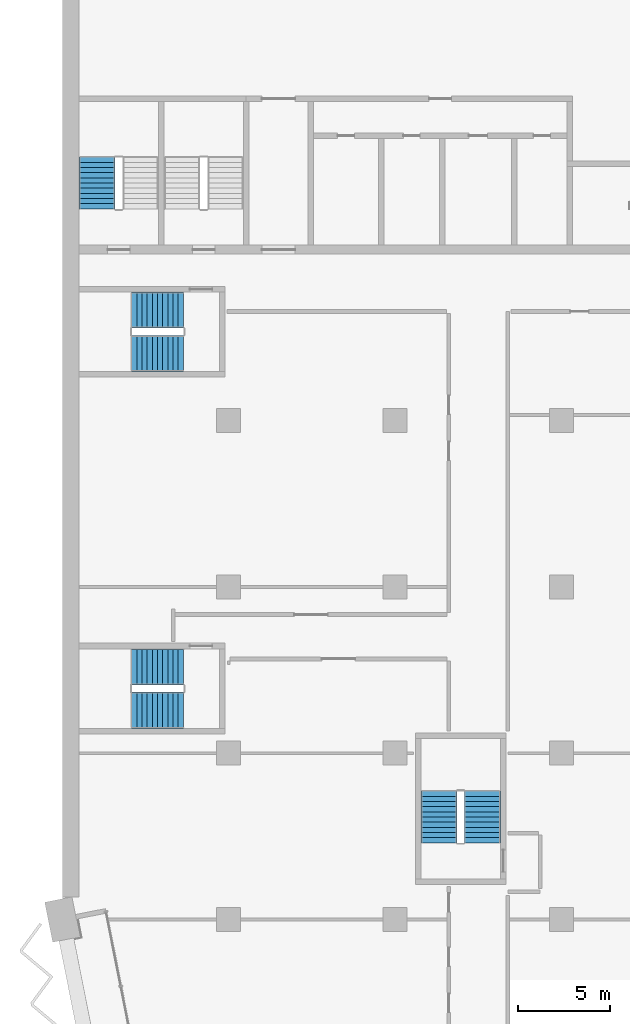
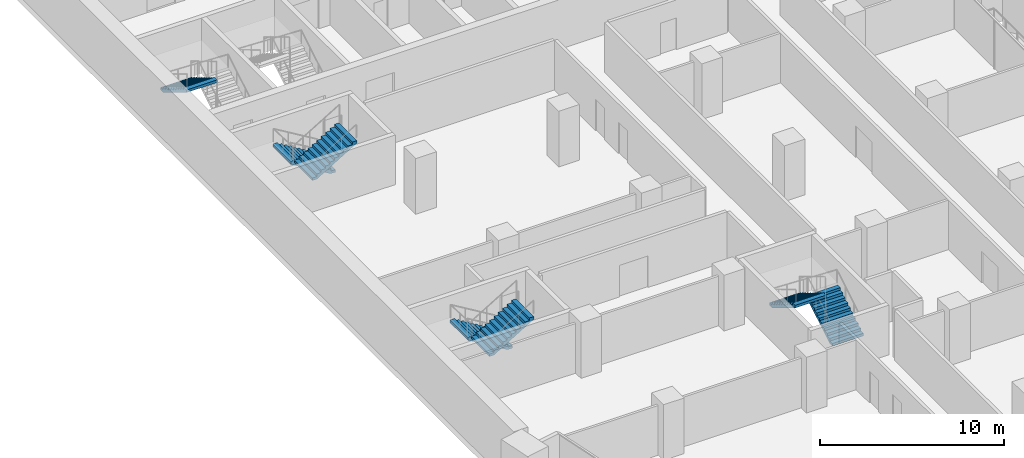
# One storey, part 16 of 23: 7 stair flights, 4 elements without a shape of their own.
"""IFC4 building model written with IfcOpenShell, lengths in metres."""

from ifc_helpers import new_model, si_unit, direction, frame, origin, place, context, subcontext, project, spatial, polyline, outline, extrude, material, type_object, element, aggregate, save


model = new_model("IFC4")

# Units and contexts
model_context = context("Model", 3, precision=1e-05, world=origin(), true_north=direction((0.0, 1.0)))
body_context = subcontext(model_context, "Body", "Model", "MODEL_VIEW")
ifc_project = project(units=[si_unit("LENGTHUNIT", "METRE"), si_unit("AREAUNIT", "SQUARE_METRE"), si_unit("VOLUMEUNIT", "CUBIC_METRE"), si_unit("PLANEANGLEUNIT", "RADIAN"), si_unit("MASSUNIT", "GRAM", prefix="KILO")], contexts=[model_context])

# Site, building, storey
site_placement = place(None, origin())
site = spatial("IfcSite", under=ifc_project, at=site_placement, CompositionType="ELEMENT")
building_placement = place(site_placement, origin())
building = spatial("IfcBuilding", under=site, at=building_placement, Name="Hunhe Ridgeline Campus", CompositionType="ELEMENT")
storey_placement = place(building_placement, frame((0.0, 0.0, 95.89990234375)))
storey = spatial("IfcBuildingStorey", under=building, at=storey_placement, Name="L23", CompositionType="ELEMENT", Elevation=95.89990234375)

# Stair, stair flight
ifc_material = material(Name="Concrete C40", Category="concrete")
stair_type = type_object("IfcStairType", Name="Reinforced concrete dog-leg stair 1950 Concrete C40", PredefinedType="HALF_TURN_STAIR", material=ifc_material)
stair_1_placement = place(storey_placement, origin())
stair_1 = element("IfcStair", 1, at=stair_1_placement, inside=storey, type_object=stair_type, Name="L23 S3", PredefinedType="HALF_TURN_STAIR")
stair_flight_type = type_object("IfcStairFlightType", Name="Reinforced concrete stair flight 1950 Concrete C40", PredefinedType="STRAIGHT", material=ifc_material)
stair_flight_1_placement = place(storey_placement, frame((1.875, 68.25, 1.85009765625), z_axis=(0.0, 0.0, 1.0), x_axis=(0.0, -1.0, 0.0)))
stair_flight_1 = element("IfcStairFlight", 2, at=stair_flight_1_placement, type_object=stair_flight_type, Name="ST3 flight 2", NumberOfRisers=11, NumberOfTreads=10, PredefinedType="STRAIGHT", RiserHeight=0.168181818, TreadLength=0.28, context=body_context, shape_type="SweptSolid", body=[
    extrude(outline(polyline([(0.0, 0.0), (0.0, 0.168212890625), (0.280029296875, 0.168212890625), (0.280029296875, 0.33642578125), (0.56005859375, 0.33642578125), (0.56005859375, 0.504638671875), (0.840087890625, 0.504638671875), (0.840087890625, 0.672607421875), (1.1201171875, 0.672607421875), (1.1201171875, 0.8408203125), (1.39990234375, 0.8408203125), (1.39990234375, 1.009033203125), (1.679931640625, 1.009033203125), (1.679931640625, 1.17724609375), (1.9599609375, 1.17724609375), (1.9599609375, 1.345458984375), (2.239990234375, 1.345458984375), (2.239990234375, 1.513671875), (2.52001953125, 1.513671875), (2.52001953125, 1.681884765625), (2.800048828125, 1.681884765625), (2.800048828125, 1.85009765625), (2.800048828125, 1.5068359375), (0.291015625, 0.0), (0.0, 0.0)])), frame((0.0, 0.97509765625, 0.0), z_axis=(0.0, -1.0, 0.0), x_axis=(1.0, 0.0, 0.0)), (0.0, 0.0, 1.0), 1.949951171875),
    extrude(outline(polyline([(0.030029296875, 0.030029296875), (0.030029296875, 0.13818359375), (0.31005859375, 0.13818359375), (0.31005859375, 0.306396484375), (0.590087890625, 0.306396484375), (0.590087890625, 0.474609375), (0.8701171875, 0.474609375), (0.8701171875, 0.642578125), (1.14990234375, 0.642578125), (1.14990234375, 0.810791015625), (1.429931640625, 0.810791015625), (1.429931640625, 0.97900390625), (1.7099609375, 0.97900390625), (1.7099609375, 1.147216796875), (1.989990234375, 1.147216796875), (1.989990234375, 1.3154296875), (2.27001953125, 1.3154296875), (2.27001953125, 1.483642578125), (2.550048828125, 1.483642578125), (2.550048828125, 1.65185546875), (2.77001953125, 1.65185546875), (2.77001953125, 1.52392578125), (0.28271484375, 0.030029296875), (0.030029296875, 0.030029296875)])), frame((0.0, -0.070068359375, 0.0), z_axis=(0.0, -1.0, 0.0), x_axis=(1.0, 0.0, 0.0)), (0.0, 0.0, 1.0), 0.019775390625),
    extrude(outline(polyline([(0.030029296875, 0.030029296875), (0.030029296875, 0.13818359375), (0.31005859375, 0.13818359375), (0.31005859375, 0.306396484375), (0.590087890625, 0.306396484375), (0.590087890625, 0.474609375), (0.8701171875, 0.474609375), (0.8701171875, 0.642578125), (1.14990234375, 0.642578125), (1.14990234375, 0.810791015625), (1.429931640625, 0.810791015625), (1.429931640625, 0.97900390625), (1.7099609375, 0.97900390625), (1.7099609375, 1.147216796875), (1.989990234375, 1.147216796875), (1.989990234375, 1.3154296875), (2.27001953125, 1.3154296875), (2.27001953125, 1.483642578125), (2.550048828125, 1.483642578125), (2.550048828125, 1.65185546875), (2.77001953125, 1.65185546875), (2.77001953125, 1.52392578125), (0.28271484375, 0.030029296875), (0.030029296875, 0.030029296875)])), frame((0.0, 0.010009765625, 0.0), z_axis=(0.0, -1.0, 0.0), x_axis=(1.0, 0.0, 0.0)), (0.0, 0.0, 1.0), 0.019775390625),
    extrude(outline(polyline([(0.030029296875, 0.030029296875), (0.030029296875, 0.13818359375), (0.31005859375, 0.13818359375), (0.31005859375, 0.306396484375), (0.590087890625, 0.306396484375), (0.590087890625, 0.474609375), (0.8701171875, 0.474609375), (0.8701171875, 0.642578125), (1.14990234375, 0.642578125), (1.14990234375, 0.810791015625), (1.429931640625, 0.810791015625), (1.429931640625, 0.97900390625), (1.7099609375, 0.97900390625), (1.7099609375, 1.147216796875), (1.989990234375, 1.147216796875), (1.989990234375, 1.3154296875), (2.27001953125, 1.3154296875), (2.27001953125, 1.483642578125), (2.550048828125, 1.483642578125), (2.550048828125, 1.65185546875), (2.77001953125, 1.65185546875), (2.77001953125, 1.52392578125), (0.28271484375, 0.030029296875), (0.030029296875, 0.030029296875)])), frame((0.0, 0.090087890625, 0.0), z_axis=(0.0, -1.0, 0.0), x_axis=(1.0, 0.0, 0.0)), (0.0, 0.0, 1.0), 0.019775390625),
])
aggregate(stair_1, [stair_flight_1])

# Stair, stair flights
stair_2_placement = place(storey_placement, origin())
stair_2 = element("IfcStair", 3, at=stair_2_placement, inside=storey, type_object=stair_type, Name="L23 W3", PredefinedType="HALF_TURN_STAIR")
stair_flight_2_placement = place(storey_placement, frame((22.72509765625, 31.14990234375, 0.0), z_axis=(0.0, 0.0, 1.0), x_axis=(0.0, 1.0, 0.0)))
stair_flight_2 = element("IfcStairFlight", 4, at=stair_flight_2_placement, type_object=stair_flight_type, Name="ST9 flight 1", NumberOfRisers=11, NumberOfTreads=10, PredefinedType="STRAIGHT", RiserHeight=0.168181818, TreadLength=0.28, context=body_context, shape_type="SweptSolid", body=[
    extrude(outline(polyline([(0.0, 0.0), (0.0, 0.168212890625), (0.280029296875, 0.168212890625), (0.280029296875, 0.33642578125), (0.56005859375, 0.33642578125), (0.56005859375, 0.504638671875), (0.840087890625, 0.504638671875), (0.840087890625, 0.672607421875), (1.1201171875, 0.672607421875), (1.1201171875, 0.8408203125), (1.39990234375, 0.8408203125), (1.39990234375, 1.009033203125), (1.679931640625, 1.009033203125), (1.679931640625, 1.17724609375), (1.9599609375, 1.17724609375), (1.9599609375, 1.345458984375), (2.239990234375, 1.345458984375), (2.239990234375, 1.513671875), (2.52001953125, 1.513671875), (2.52001953125, 1.681884765625), (2.800048828125, 1.681884765625), (2.800048828125, 1.85009765625), (2.800048828125, 1.5068359375), (0.291015625, 0.0), (0.0, 0.0)])), frame((0.0, 0.97509765625, 0.0), z_axis=(0.0, -1.0, 0.0), x_axis=(1.0, 0.0, 0.0)), (0.0, 0.0, 1.0), 1.949951171875),
    extrude(outline(polyline([(0.030029296875, 0.030029296875), (0.030029296875, 0.13818359375), (0.31005859375, 0.13818359375), (0.31005859375, 0.306396484375), (0.590087890625, 0.306396484375), (0.590087890625, 0.474609375), (0.8701171875, 0.474609375), (0.8701171875, 0.642578125), (1.14990234375, 0.642578125), (1.14990234375, 0.810791015625), (1.429931640625, 0.810791015625), (1.429931640625, 0.97900390625), (1.7099609375, 0.97900390625), (1.7099609375, 1.147216796875), (1.989990234375, 1.147216796875), (1.989990234375, 1.3154296875), (2.27001953125, 1.3154296875), (2.27001953125, 1.483642578125), (2.550048828125, 1.483642578125), (2.550048828125, 1.65185546875), (2.77001953125, 1.65185546875), (2.77001953125, 1.52392578125), (0.28271484375, 0.030029296875), (0.030029296875, 0.030029296875)])), frame((0.0, -0.070068359375, 0.0), z_axis=(0.0, -1.0, 0.0), x_axis=(1.0, 0.0, 0.0)), (0.0, 0.0, 1.0), 0.019775390625),
    extrude(outline(polyline([(0.030029296875, 0.030029296875), (0.030029296875, 0.13818359375), (0.31005859375, 0.13818359375), (0.31005859375, 0.306396484375), (0.590087890625, 0.306396484375), (0.590087890625, 0.474609375), (0.8701171875, 0.474609375), (0.8701171875, 0.642578125), (1.14990234375, 0.642578125), (1.14990234375, 0.810791015625), (1.429931640625, 0.810791015625), (1.429931640625, 0.97900390625), (1.7099609375, 0.97900390625), (1.7099609375, 1.147216796875), (1.989990234375, 1.147216796875), (1.989990234375, 1.3154296875), (2.27001953125, 1.3154296875), (2.27001953125, 1.483642578125), (2.550048828125, 1.483642578125), (2.550048828125, 1.65185546875), (2.77001953125, 1.65185546875), (2.77001953125, 1.52392578125), (0.28271484375, 0.030029296875), (0.030029296875, 0.030029296875)])), frame((0.0, 0.010009765625, 0.0), z_axis=(0.0, -1.0, 0.0), x_axis=(1.0, 0.0, 0.0)), (0.0, 0.0, 1.0), 0.019775390625),
    extrude(outline(polyline([(0.030029296875, 0.030029296875), (0.030029296875, 0.13818359375), (0.31005859375, 0.13818359375), (0.31005859375, 0.306396484375), (0.590087890625, 0.306396484375), (0.590087890625, 0.474609375), (0.8701171875, 0.474609375), (0.8701171875, 0.642578125), (1.14990234375, 0.642578125), (1.14990234375, 0.810791015625), (1.429931640625, 0.810791015625), (1.429931640625, 0.97900390625), (1.7099609375, 0.97900390625), (1.7099609375, 1.147216796875), (1.989990234375, 1.147216796875), (1.989990234375, 1.3154296875), (2.27001953125, 1.3154296875), (2.27001953125, 1.483642578125), (2.550048828125, 1.483642578125), (2.550048828125, 1.65185546875), (2.77001953125, 1.65185546875), (2.77001953125, 1.52392578125), (0.28271484375, 0.030029296875), (0.030029296875, 0.030029296875)])), frame((0.0, 0.090087890625, 0.0), z_axis=(0.0, -1.0, 0.0), x_axis=(1.0, 0.0, 0.0)), (0.0, 0.0, 1.0), 0.019775390625),
])
stair_flight_3_placement = place(storey_placement, frame((20.375, 33.949951171875, 1.85009765625), z_axis=(0.0, 0.0, 1.0), x_axis=(0.0, -1.0, 0.0)))
stair_flight_3 = element("IfcStairFlight", 5, at=stair_flight_3_placement, type_object=stair_flight_type, Name="ST9 flight 2", NumberOfRisers=11, NumberOfTreads=10, PredefinedType="STRAIGHT", RiserHeight=0.168181818, TreadLength=0.28, context=body_context, shape_type="SweptSolid", body=[
    extrude(outline(polyline([(0.0, 0.0), (0.0, 0.168212890625), (0.280029296875, 0.168212890625), (0.280029296875, 0.33642578125), (0.56005859375, 0.33642578125), (0.56005859375, 0.504638671875), (0.840087890625, 0.504638671875), (0.840087890625, 0.672607421875), (1.1201171875, 0.672607421875), (1.1201171875, 0.8408203125), (1.39990234375, 0.8408203125), (1.39990234375, 1.009033203125), (1.679931640625, 1.009033203125), (1.679931640625, 1.17724609375), (1.9599609375, 1.17724609375), (1.9599609375, 1.345458984375), (2.239990234375, 1.345458984375), (2.239990234375, 1.513671875), (2.52001953125, 1.513671875), (2.52001953125, 1.681884765625), (2.800048828125, 1.681884765625), (2.800048828125, 1.85009765625), (2.800048828125, 1.5068359375), (0.291015625, 0.0), (0.0, 0.0)])), frame((0.0, 0.97509765625, 0.0), z_axis=(0.0, -1.0, 0.0), x_axis=(1.0, 0.0, 0.0)), (0.0, 0.0, 1.0), 1.949951171875),
    extrude(outline(polyline([(0.030029296875, 0.030029296875), (0.030029296875, 0.13818359375), (0.31005859375, 0.13818359375), (0.31005859375, 0.306396484375), (0.590087890625, 0.306396484375), (0.590087890625, 0.474609375), (0.8701171875, 0.474609375), (0.8701171875, 0.642578125), (1.14990234375, 0.642578125), (1.14990234375, 0.810791015625), (1.429931640625, 0.810791015625), (1.429931640625, 0.97900390625), (1.7099609375, 0.97900390625), (1.7099609375, 1.147216796875), (1.989990234375, 1.147216796875), (1.989990234375, 1.3154296875), (2.27001953125, 1.3154296875), (2.27001953125, 1.483642578125), (2.550048828125, 1.483642578125), (2.550048828125, 1.65185546875), (2.77001953125, 1.65185546875), (2.77001953125, 1.52392578125), (0.28271484375, 0.030029296875), (0.030029296875, 0.030029296875)])), frame((0.0, -0.070068359375, 0.0), z_axis=(0.0, -1.0, 0.0), x_axis=(1.0, 0.0, 0.0)), (0.0, 0.0, 1.0), 0.019775390625),
    extrude(outline(polyline([(0.030029296875, 0.030029296875), (0.030029296875, 0.13818359375), (0.31005859375, 0.13818359375), (0.31005859375, 0.306396484375), (0.590087890625, 0.306396484375), (0.590087890625, 0.474609375), (0.8701171875, 0.474609375), (0.8701171875, 0.642578125), (1.14990234375, 0.642578125), (1.14990234375, 0.810791015625), (1.429931640625, 0.810791015625), (1.429931640625, 0.97900390625), (1.7099609375, 0.97900390625), (1.7099609375, 1.147216796875), (1.989990234375, 1.147216796875), (1.989990234375, 1.3154296875), (2.27001953125, 1.3154296875), (2.27001953125, 1.483642578125), (2.550048828125, 1.483642578125), (2.550048828125, 1.65185546875), (2.77001953125, 1.65185546875), (2.77001953125, 1.52392578125), (0.28271484375, 0.030029296875), (0.030029296875, 0.030029296875)])), frame((0.0, 0.010009765625, 0.0), z_axis=(0.0, -1.0, 0.0), x_axis=(1.0, 0.0, 0.0)), (0.0, 0.0, 1.0), 0.019775390625),
    extrude(outline(polyline([(0.030029296875, 0.030029296875), (0.030029296875, 0.13818359375), (0.31005859375, 0.13818359375), (0.31005859375, 0.306396484375), (0.590087890625, 0.306396484375), (0.590087890625, 0.474609375), (0.8701171875, 0.474609375), (0.8701171875, 0.642578125), (1.14990234375, 0.642578125), (1.14990234375, 0.810791015625), (1.429931640625, 0.810791015625), (1.429931640625, 0.97900390625), (1.7099609375, 0.97900390625), (1.7099609375, 1.147216796875), (1.989990234375, 1.147216796875), (1.989990234375, 1.3154296875), (2.27001953125, 1.3154296875), (2.27001953125, 1.483642578125), (2.550048828125, 1.483642578125), (2.550048828125, 1.65185546875), (2.77001953125, 1.65185546875), (2.77001953125, 1.52392578125), (0.28271484375, 0.030029296875), (0.030029296875, 0.030029296875)])), frame((0.0, 0.090087890625, 0.0), z_axis=(0.0, -1.0, 0.0), x_axis=(1.0, 0.0, 0.0)), (0.0, 0.0, 1.0), 0.019775390625),
])
aggregate(stair_2, [stair_flight_2, stair_flight_3])

stair_3_placement = place(storey_placement, origin())
stair_3 = element("IfcStair", 6, at=stair_3_placement, inside=storey, type_object=stair_type, Name="L23 W1", PredefinedType="HALF_TURN_STAIR")
stair_flight_4_placement = place(storey_placement, frame((6.550048828125, 40.675048828125, 0.0), z_axis=(0.0, 0.0, 1.0), x_axis=(-1.0, 0.0, 0.0)))
stair_flight_4 = element("IfcStairFlight", 7, at=stair_flight_4_placement, type_object=stair_flight_type, Name="ST11 flight 1", NumberOfRisers=11, NumberOfTreads=10, PredefinedType="STRAIGHT", RiserHeight=0.168181818, TreadLength=0.28, context=body_context, shape_type="SweptSolid", body=[
    extrude(outline(polyline([(0.0, 0.0), (0.0, 0.168212890625), (0.280029296875, 0.168212890625), (0.280029296875, 0.33642578125), (0.56005859375, 0.33642578125), (0.56005859375, 0.504638671875), (0.840087890625, 0.504638671875), (0.840087890625, 0.672607421875), (1.1201171875, 0.672607421875), (1.1201171875, 0.8408203125), (1.39990234375, 0.8408203125), (1.39990234375, 1.009033203125), (1.679931640625, 1.009033203125), (1.679931640625, 1.17724609375), (1.9599609375, 1.17724609375), (1.9599609375, 1.345458984375), (2.239990234375, 1.345458984375), (2.239990234375, 1.513671875), (2.52001953125, 1.513671875), (2.52001953125, 1.681884765625), (2.800048828125, 1.681884765625), (2.800048828125, 1.85009765625), (2.800048828125, 1.5068359375), (0.291015625, 0.0), (0.0, 0.0)])), frame((0.0, 0.97509765625, 0.0), z_axis=(0.0, -1.0, 0.0), x_axis=(1.0, 0.0, 0.0)), (0.0, 0.0, 1.0), 1.949951171875),
    extrude(outline(polyline([(0.030029296875, 0.030029296875), (0.030029296875, 0.13818359375), (0.31005859375, 0.13818359375), (0.31005859375, 0.306396484375), (0.590087890625, 0.306396484375), (0.590087890625, 0.474609375), (0.8701171875, 0.474609375), (0.8701171875, 0.642578125), (1.14990234375, 0.642578125), (1.14990234375, 0.810791015625), (1.429931640625, 0.810791015625), (1.429931640625, 0.97900390625), (1.7099609375, 0.97900390625), (1.7099609375, 1.147216796875), (1.989990234375, 1.147216796875), (1.989990234375, 1.3154296875), (2.27001953125, 1.3154296875), (2.27001953125, 1.483642578125), (2.550048828125, 1.483642578125), (2.550048828125, 1.65185546875), (2.77001953125, 1.65185546875), (2.77001953125, 1.52392578125), (0.28271484375, 0.030029296875), (0.030029296875, 0.030029296875)])), frame((0.0, -0.070068359375, 0.0), z_axis=(0.0, -1.0, 0.0), x_axis=(1.0, 0.0, 0.0)), (0.0, 0.0, 1.0), 0.019775390625),
    extrude(outline(polyline([(0.030029296875, 0.030029296875), (0.030029296875, 0.13818359375), (0.31005859375, 0.13818359375), (0.31005859375, 0.306396484375), (0.590087890625, 0.306396484375), (0.590087890625, 0.474609375), (0.8701171875, 0.474609375), (0.8701171875, 0.642578125), (1.14990234375, 0.642578125), (1.14990234375, 0.810791015625), (1.429931640625, 0.810791015625), (1.429931640625, 0.97900390625), (1.7099609375, 0.97900390625), (1.7099609375, 1.147216796875), (1.989990234375, 1.147216796875), (1.989990234375, 1.3154296875), (2.27001953125, 1.3154296875), (2.27001953125, 1.483642578125), (2.550048828125, 1.483642578125), (2.550048828125, 1.65185546875), (2.77001953125, 1.65185546875), (2.77001953125, 1.52392578125), (0.28271484375, 0.030029296875), (0.030029296875, 0.030029296875)])), frame((0.0, 0.010009765625, 0.0), z_axis=(0.0, -1.0, 0.0), x_axis=(1.0, 0.0, 0.0)), (0.0, 0.0, 1.0), 0.019775390625),
    extrude(outline(polyline([(0.030029296875, 0.030029296875), (0.030029296875, 0.13818359375), (0.31005859375, 0.13818359375), (0.31005859375, 0.306396484375), (0.590087890625, 0.306396484375), (0.590087890625, 0.474609375), (0.8701171875, 0.474609375), (0.8701171875, 0.642578125), (1.14990234375, 0.642578125), (1.14990234375, 0.810791015625), (1.429931640625, 0.810791015625), (1.429931640625, 0.97900390625), (1.7099609375, 0.97900390625), (1.7099609375, 1.147216796875), (1.989990234375, 1.147216796875), (1.989990234375, 1.3154296875), (2.27001953125, 1.3154296875), (2.27001953125, 1.483642578125), (2.550048828125, 1.483642578125), (2.550048828125, 1.65185546875), (2.77001953125, 1.65185546875), (2.77001953125, 1.52392578125), (0.28271484375, 0.030029296875), (0.030029296875, 0.030029296875)])), frame((0.0, 0.090087890625, 0.0), z_axis=(0.0, -1.0, 0.0), x_axis=(1.0, 0.0, 0.0)), (0.0, 0.0, 1.0), 0.019775390625),
])
stair_flight_5_placement = place(storey_placement, frame((3.75, 38.324951171875, 1.85009765625), z_axis=(0.0, 0.0, 1.0), x_axis=(1.0, 0.0, 0.0)))
stair_flight_5 = element("IfcStairFlight", 8, at=stair_flight_5_placement, type_object=stair_flight_type, Name="ST11 flight 2", NumberOfRisers=11, NumberOfTreads=10, PredefinedType="STRAIGHT", RiserHeight=0.168181818, TreadLength=0.28, context=body_context, shape_type="SweptSolid", body=[
    extrude(outline(polyline([(0.0, 0.0), (0.0, 0.168212890625), (0.280029296875, 0.168212890625), (0.280029296875, 0.33642578125), (0.56005859375, 0.33642578125), (0.56005859375, 0.504638671875), (0.840087890625, 0.504638671875), (0.840087890625, 0.672607421875), (1.1201171875, 0.672607421875), (1.1201171875, 0.8408203125), (1.39990234375, 0.8408203125), (1.39990234375, 1.009033203125), (1.679931640625, 1.009033203125), (1.679931640625, 1.17724609375), (1.9599609375, 1.17724609375), (1.9599609375, 1.345458984375), (2.239990234375, 1.345458984375), (2.239990234375, 1.513671875), (2.52001953125, 1.513671875), (2.52001953125, 1.681884765625), (2.800048828125, 1.681884765625), (2.800048828125, 1.85009765625), (2.800048828125, 1.5068359375), (0.291015625, 0.0), (0.0, 0.0)])), frame((0.0, 0.97509765625, 0.0), z_axis=(0.0, -1.0, 0.0), x_axis=(1.0, 0.0, 0.0)), (0.0, 0.0, 1.0), 1.949951171875),
    extrude(outline(polyline([(0.030029296875, 0.030029296875), (0.030029296875, 0.13818359375), (0.31005859375, 0.13818359375), (0.31005859375, 0.306396484375), (0.590087890625, 0.306396484375), (0.590087890625, 0.474609375), (0.8701171875, 0.474609375), (0.8701171875, 0.642578125), (1.14990234375, 0.642578125), (1.14990234375, 0.810791015625), (1.429931640625, 0.810791015625), (1.429931640625, 0.97900390625), (1.7099609375, 0.97900390625), (1.7099609375, 1.147216796875), (1.989990234375, 1.147216796875), (1.989990234375, 1.3154296875), (2.27001953125, 1.3154296875), (2.27001953125, 1.483642578125), (2.550048828125, 1.483642578125), (2.550048828125, 1.65185546875), (2.77001953125, 1.65185546875), (2.77001953125, 1.52392578125), (0.28271484375, 0.030029296875), (0.030029296875, 0.030029296875)])), frame((0.0, -0.070068359375, 0.0), z_axis=(0.0, -1.0, 0.0), x_axis=(1.0, 0.0, 0.0)), (0.0, 0.0, 1.0), 0.019775390625),
    extrude(outline(polyline([(0.030029296875, 0.030029296875), (0.030029296875, 0.13818359375), (0.31005859375, 0.13818359375), (0.31005859375, 0.306396484375), (0.590087890625, 0.306396484375), (0.590087890625, 0.474609375), (0.8701171875, 0.474609375), (0.8701171875, 0.642578125), (1.14990234375, 0.642578125), (1.14990234375, 0.810791015625), (1.429931640625, 0.810791015625), (1.429931640625, 0.97900390625), (1.7099609375, 0.97900390625), (1.7099609375, 1.147216796875), (1.989990234375, 1.147216796875), (1.989990234375, 1.3154296875), (2.27001953125, 1.3154296875), (2.27001953125, 1.483642578125), (2.550048828125, 1.483642578125), (2.550048828125, 1.65185546875), (2.77001953125, 1.65185546875), (2.77001953125, 1.52392578125), (0.28271484375, 0.030029296875), (0.030029296875, 0.030029296875)])), frame((0.0, 0.010009765625, 0.0), z_axis=(0.0, -1.0, 0.0), x_axis=(1.0, 0.0, 0.0)), (0.0, 0.0, 1.0), 0.019775390625),
    extrude(outline(polyline([(0.030029296875, 0.030029296875), (0.030029296875, 0.13818359375), (0.31005859375, 0.13818359375), (0.31005859375, 0.306396484375), (0.590087890625, 0.306396484375), (0.590087890625, 0.474609375), (0.8701171875, 0.474609375), (0.8701171875, 0.642578125), (1.14990234375, 0.642578125), (1.14990234375, 0.810791015625), (1.429931640625, 0.810791015625), (1.429931640625, 0.97900390625), (1.7099609375, 0.97900390625), (1.7099609375, 1.147216796875), (1.989990234375, 1.147216796875), (1.989990234375, 1.3154296875), (2.27001953125, 1.3154296875), (2.27001953125, 1.483642578125), (2.550048828125, 1.483642578125), (2.550048828125, 1.65185546875), (2.77001953125, 1.65185546875), (2.77001953125, 1.52392578125), (0.28271484375, 0.030029296875), (0.030029296875, 0.030029296875)])), frame((0.0, 0.090087890625, 0.0), z_axis=(0.0, -1.0, 0.0), x_axis=(1.0, 0.0, 0.0)), (0.0, 0.0, 1.0), 0.019775390625),
])
aggregate(stair_3, [stair_flight_4, stair_flight_5])

stair_4_placement = place(storey_placement, origin())
stair_4 = element("IfcStair", 9, at=stair_4_placement, inside=storey, type_object=stair_type, Name="L23 W2", PredefinedType="HALF_TURN_STAIR")
stair_flight_6_placement = place(storey_placement, frame((6.550048828125, 59.97509765625, 0.0), z_axis=(0.0, 0.0, 1.0), x_axis=(-1.0, 0.0, 0.0)))
stair_flight_6 = element("IfcStairFlight", 10, at=stair_flight_6_placement, type_object=stair_flight_type, Name="ST12 flight 1", NumberOfRisers=11, NumberOfTreads=10, PredefinedType="STRAIGHT", RiserHeight=0.168181818, TreadLength=0.28, context=body_context, shape_type="SweptSolid", body=[
    extrude(outline(polyline([(0.0, 0.0), (0.0, 0.168212890625), (0.280029296875, 0.168212890625), (0.280029296875, 0.33642578125), (0.56005859375, 0.33642578125), (0.56005859375, 0.504638671875), (0.840087890625, 0.504638671875), (0.840087890625, 0.672607421875), (1.1201171875, 0.672607421875), (1.1201171875, 0.8408203125), (1.39990234375, 0.8408203125), (1.39990234375, 1.009033203125), (1.679931640625, 1.009033203125), (1.679931640625, 1.17724609375), (1.9599609375, 1.17724609375), (1.9599609375, 1.345458984375), (2.239990234375, 1.345458984375), (2.239990234375, 1.513671875), (2.52001953125, 1.513671875), (2.52001953125, 1.681884765625), (2.800048828125, 1.681884765625), (2.800048828125, 1.85009765625), (2.800048828125, 1.5068359375), (0.291015625, 0.0), (0.0, 0.0)])), frame((0.0, 0.97509765625, 0.0), z_axis=(0.0, -1.0, 0.0), x_axis=(1.0, 0.0, 0.0)), (0.0, 0.0, 1.0), 1.949951171875),
    extrude(outline(polyline([(0.030029296875, 0.030029296875), (0.030029296875, 0.13818359375), (0.31005859375, 0.13818359375), (0.31005859375, 0.306396484375), (0.590087890625, 0.306396484375), (0.590087890625, 0.474609375), (0.8701171875, 0.474609375), (0.8701171875, 0.642578125), (1.14990234375, 0.642578125), (1.14990234375, 0.810791015625), (1.429931640625, 0.810791015625), (1.429931640625, 0.97900390625), (1.7099609375, 0.97900390625), (1.7099609375, 1.147216796875), (1.989990234375, 1.147216796875), (1.989990234375, 1.3154296875), (2.27001953125, 1.3154296875), (2.27001953125, 1.483642578125), (2.550048828125, 1.483642578125), (2.550048828125, 1.65185546875), (2.77001953125, 1.65185546875), (2.77001953125, 1.52392578125), (0.28271484375, 0.030029296875), (0.030029296875, 0.030029296875)])), frame((0.0, -0.070068359375, 0.0), z_axis=(0.0, -1.0, 0.0), x_axis=(1.0, 0.0, 0.0)), (0.0, 0.0, 1.0), 0.019775390625),
    extrude(outline(polyline([(0.030029296875, 0.030029296875), (0.030029296875, 0.13818359375), (0.31005859375, 0.13818359375), (0.31005859375, 0.306396484375), (0.590087890625, 0.306396484375), (0.590087890625, 0.474609375), (0.8701171875, 0.474609375), (0.8701171875, 0.642578125), (1.14990234375, 0.642578125), (1.14990234375, 0.810791015625), (1.429931640625, 0.810791015625), (1.429931640625, 0.97900390625), (1.7099609375, 0.97900390625), (1.7099609375, 1.147216796875), (1.989990234375, 1.147216796875), (1.989990234375, 1.3154296875), (2.27001953125, 1.3154296875), (2.27001953125, 1.483642578125), (2.550048828125, 1.483642578125), (2.550048828125, 1.65185546875), (2.77001953125, 1.65185546875), (2.77001953125, 1.52392578125), (0.28271484375, 0.030029296875), (0.030029296875, 0.030029296875)])), frame((0.0, 0.010009765625, 0.0), z_axis=(0.0, -1.0, 0.0), x_axis=(1.0, 0.0, 0.0)), (0.0, 0.0, 1.0), 0.019775390625),
    extrude(outline(polyline([(0.030029296875, 0.030029296875), (0.030029296875, 0.13818359375), (0.31005859375, 0.13818359375), (0.31005859375, 0.306396484375), (0.590087890625, 0.306396484375), (0.590087890625, 0.474609375), (0.8701171875, 0.474609375), (0.8701171875, 0.642578125), (1.14990234375, 0.642578125), (1.14990234375, 0.810791015625), (1.429931640625, 0.810791015625), (1.429931640625, 0.97900390625), (1.7099609375, 0.97900390625), (1.7099609375, 1.147216796875), (1.989990234375, 1.147216796875), (1.989990234375, 1.3154296875), (2.27001953125, 1.3154296875), (2.27001953125, 1.483642578125), (2.550048828125, 1.483642578125), (2.550048828125, 1.65185546875), (2.77001953125, 1.65185546875), (2.77001953125, 1.52392578125), (0.28271484375, 0.030029296875), (0.030029296875, 0.030029296875)])), frame((0.0, 0.090087890625, 0.0), z_axis=(0.0, -1.0, 0.0), x_axis=(1.0, 0.0, 0.0)), (0.0, 0.0, 1.0), 0.019775390625),
])
stair_flight_7_placement = place(storey_placement, frame((3.75, 57.625, 1.85009765625), z_axis=(0.0, 0.0, 1.0), x_axis=(1.0, 0.0, 0.0)))
stair_flight_7 = element("IfcStairFlight", 11, at=stair_flight_7_placement, type_object=stair_flight_type, Name="ST12 flight 2", NumberOfRisers=11, NumberOfTreads=10, PredefinedType="STRAIGHT", RiserHeight=0.168181818, TreadLength=0.28, context=body_context, shape_type="SweptSolid", body=[
    extrude(outline(polyline([(0.0, 0.0), (0.0, 0.168212890625), (0.280029296875, 0.168212890625), (0.280029296875, 0.33642578125), (0.56005859375, 0.33642578125), (0.56005859375, 0.504638671875), (0.840087890625, 0.504638671875), (0.840087890625, 0.672607421875), (1.1201171875, 0.672607421875), (1.1201171875, 0.8408203125), (1.39990234375, 0.8408203125), (1.39990234375, 1.009033203125), (1.679931640625, 1.009033203125), (1.679931640625, 1.17724609375), (1.9599609375, 1.17724609375), (1.9599609375, 1.345458984375), (2.239990234375, 1.345458984375), (2.239990234375, 1.513671875), (2.52001953125, 1.513671875), (2.52001953125, 1.681884765625), (2.800048828125, 1.681884765625), (2.800048828125, 1.85009765625), (2.800048828125, 1.5068359375), (0.291015625, 0.0), (0.0, 0.0)])), frame((0.0, 0.97509765625, 0.0), z_axis=(0.0, -1.0, 0.0), x_axis=(1.0, 0.0, 0.0)), (0.0, 0.0, 1.0), 1.949951171875),
    extrude(outline(polyline([(0.030029296875, 0.030029296875), (0.030029296875, 0.13818359375), (0.31005859375, 0.13818359375), (0.31005859375, 0.306396484375), (0.590087890625, 0.306396484375), (0.590087890625, 0.474609375), (0.8701171875, 0.474609375), (0.8701171875, 0.642578125), (1.14990234375, 0.642578125), (1.14990234375, 0.810791015625), (1.429931640625, 0.810791015625), (1.429931640625, 0.97900390625), (1.7099609375, 0.97900390625), (1.7099609375, 1.147216796875), (1.989990234375, 1.147216796875), (1.989990234375, 1.3154296875), (2.27001953125, 1.3154296875), (2.27001953125, 1.483642578125), (2.550048828125, 1.483642578125), (2.550048828125, 1.65185546875), (2.77001953125, 1.65185546875), (2.77001953125, 1.52392578125), (0.28271484375, 0.030029296875), (0.030029296875, 0.030029296875)])), frame((0.0, -0.070068359375, 0.0), z_axis=(0.0, -1.0, 0.0), x_axis=(1.0, 0.0, 0.0)), (0.0, 0.0, 1.0), 0.019775390625),
    extrude(outline(polyline([(0.030029296875, 0.030029296875), (0.030029296875, 0.13818359375), (0.31005859375, 0.13818359375), (0.31005859375, 0.306396484375), (0.590087890625, 0.306396484375), (0.590087890625, 0.474609375), (0.8701171875, 0.474609375), (0.8701171875, 0.642578125), (1.14990234375, 0.642578125), (1.14990234375, 0.810791015625), (1.429931640625, 0.810791015625), (1.429931640625, 0.97900390625), (1.7099609375, 0.97900390625), (1.7099609375, 1.147216796875), (1.989990234375, 1.147216796875), (1.989990234375, 1.3154296875), (2.27001953125, 1.3154296875), (2.27001953125, 1.483642578125), (2.550048828125, 1.483642578125), (2.550048828125, 1.65185546875), (2.77001953125, 1.65185546875), (2.77001953125, 1.52392578125), (0.28271484375, 0.030029296875), (0.030029296875, 0.030029296875)])), frame((0.0, 0.010009765625, 0.0), z_axis=(0.0, -1.0, 0.0), x_axis=(1.0, 0.0, 0.0)), (0.0, 0.0, 1.0), 0.019775390625),
    extrude(outline(polyline([(0.030029296875, 0.030029296875), (0.030029296875, 0.13818359375), (0.31005859375, 0.13818359375), (0.31005859375, 0.306396484375), (0.590087890625, 0.306396484375), (0.590087890625, 0.474609375), (0.8701171875, 0.474609375), (0.8701171875, 0.642578125), (1.14990234375, 0.642578125), (1.14990234375, 0.810791015625), (1.429931640625, 0.810791015625), (1.429931640625, 0.97900390625), (1.7099609375, 0.97900390625), (1.7099609375, 1.147216796875), (1.989990234375, 1.147216796875), (1.989990234375, 1.3154296875), (2.27001953125, 1.3154296875), (2.27001953125, 1.483642578125), (2.550048828125, 1.483642578125), (2.550048828125, 1.65185546875), (2.77001953125, 1.65185546875), (2.77001953125, 1.52392578125), (0.28271484375, 0.030029296875), (0.030029296875, 0.030029296875)])), frame((0.0, 0.090087890625, 0.0), z_axis=(0.0, -1.0, 0.0), x_axis=(1.0, 0.0, 0.0)), (0.0, 0.0, 1.0), 0.019775390625),
])
aggregate(stair_4, [stair_flight_6, stair_flight_7])

save(model, "model.ifc")
